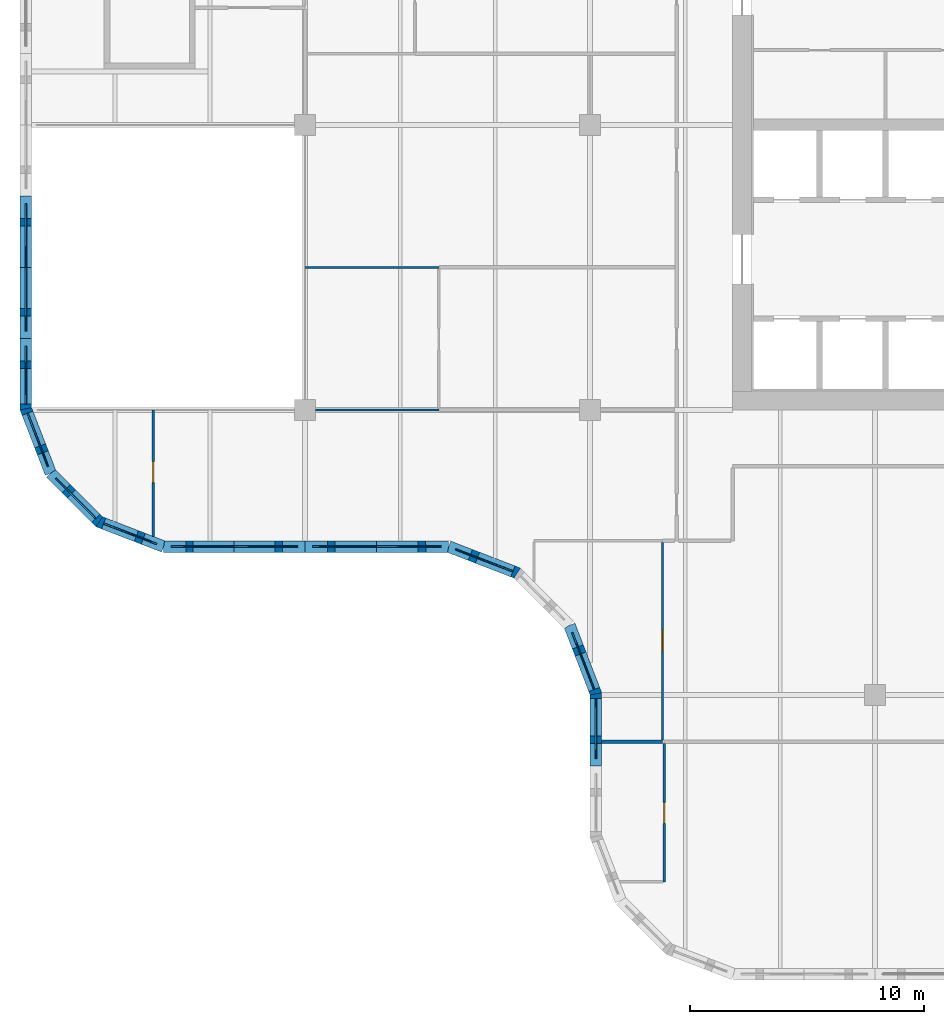
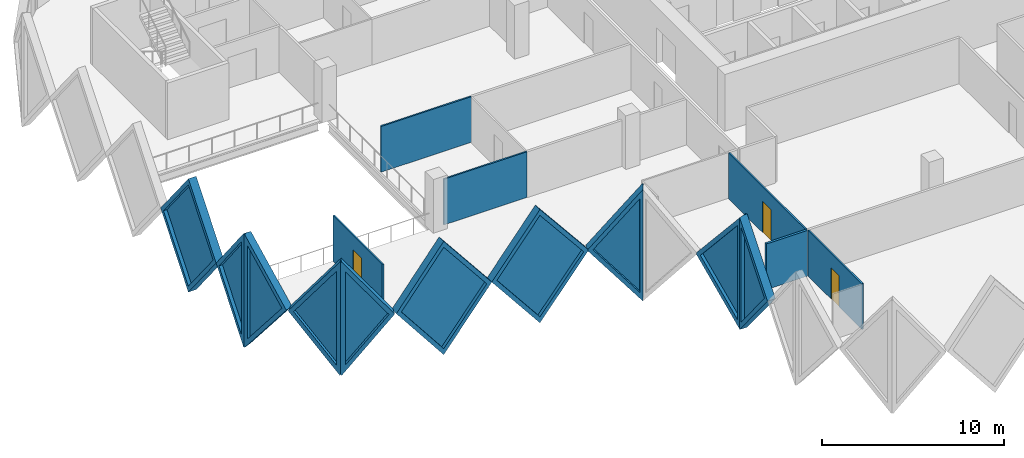
# One storey, part 4 of 19: 16 walls, 10 plates, 3 doors, 13 openings.
"""IFC4 building model written with IfcOpenShell, lengths in metres."""

from ifc_helpers import new_model, si_unit, direction, frame, frame_2d, origin, place, context, subcontext, project, spatial, polyline, rectangle, outline, extrude, faceted_brep, source, transform, mapped, material, layer, layer_set, type_object, element, fill, save


model = new_model("IFC4")

# Units and contexts
model_context = context("Model", 3, precision=1e-05, world=origin(), true_north=direction((0.0, 1.0)))
body_context = subcontext(model_context, "Body", "Model", "MODEL_VIEW")
ifc_project = project(units=[si_unit("LENGTHUNIT", "METRE"), si_unit("AREAUNIT", "SQUARE_METRE"), si_unit("VOLUMEUNIT", "CUBIC_METRE"), si_unit("PLANEANGLEUNIT", "RADIAN"), si_unit("MASSUNIT", "GRAM", prefix="KILO")], contexts=[model_context])

# Site, building, storey
site_placement = place(None, origin())
site = spatial("IfcSite", under=ifc_project, at=site_placement, CompositionType="ELEMENT")
building_placement = place(site_placement, origin())
building = spatial("IfcBuilding", under=site, at=building_placement, Name="Tessera Gate Towers", CompositionType="ELEMENT")
storey_placement = place(building_placement, frame((0.0, 0.0, 80.0)))
storey = spatial("IfcBuildingStorey", under=building, at=storey_placement, Name="L19", CompositionType="ELEMENT", Elevation=80.0)

# Wall, opening, door
ifc_material_1 = material(Name="Glass", Category="glass")
ifc_layer_1 = layer(ifc_material_1, 0.10009765625)
ifc_layer_set_1 = layer_set([ifc_layer_1], Name="GLAZED PARTITION 100")
wall_type_1 = type_object("IfcWallType", Name="GLAZED PARTITION 100", PredefinedType="PARTITIONING", material=ifc_layer_set_1)
wall_1_placement = place(storey_placement, frame((27.574951171875, 4.199951171875, 0.0), z_axis=(0.0, 0.0, 1.0), x_axis=(0.0, 1.0, 0.0)))
wall_1 = element("IfcWall", 1, at=wall_1_placement, inside=storey, type_object=wall_type_1, Name="T1-L19-PW-004", PredefinedType="PARTITIONING", context=body_context, shape_type="SweptSolid", body=[
    extrude(rectangle(XDim=5.924072265625, YDim=0.10009765625, at=frame_2d((2.9619140625, 0.0))), origin(), (0.0, 0.0, 1.0), 3.06689453125),
])
shared_shape_1 = source(origin(), body_context, "Body", "SweptSolid", [
    extrude(rectangle(XDim=0.89990234375, YDim=2.10009765625, at=frame_2d((0.449951171875, 1.050048828125))), frame((0.0, 0.06005859375, 0.0), z_axis=(0.0, -1.0, 0.0), x_axis=(1.0, 0.0, 0.0)), (0.0, 0.0, 1.0), 0.1201171875),
])
opening_1_placement = place(wall_1_placement, frame((2.5, 0.0, 0.0)))
opening_1 = element("IfcOpeningElement", 2, at=opening_1_placement, cuts=wall_1, Name="Opening D690-A07-07", PredefinedType="OPENING", context=body_context, shape_type="MappedRepresentation", body=[
    mapped(shared_shape_1, transform((0.0, 0.0, 0.0), scale=1.0)),
])
ifc_material_2 = material(Name="Glass in aluminium frame", Category="aluminium")
door_type = type_object("IfcDoorType", Name="GLAZED DOOR 900 NOT RATED", OperationType="NOTDEFINED", PredefinedType="DOOR", material=ifc_material_2)
shared_shape_2 = source(origin(), body_context, "Body", "SweptSolid", [
    extrude(rectangle(XDim=0.89990234375, YDim=2.10009765625, at=frame_2d((0.449951171875, 1.050048828125))), frame((0.0, 0.02490234375, 0.0), z_axis=(0.0, -1.0, 0.0), x_axis=(1.0, 0.0, 0.0)), (0.0, 0.0, 1.0), 0.050048828125),
])
door_1_placement = place(opening_1_placement, origin())
door_1 = element("IfcDoor", 3, at=door_1_placement, inside=storey, type_object=door_type, Name="T1-L19-PD-017", OperationType="SINGLE_SWING_LEFT", OverallHeight=2.10009765625, OverallWidth=0.89990234375, PredefinedType="DOOR", context=body_context, shape_type="MappedRepresentation", body=[
    mapped(shared_shape_2, transform((0.0, 0.0, 0.0), scale=1.0)),
])
fill(opening_1, door_1)

wall_2_placement = place(storey_placement, frame((27.5, 10.27587890625, 0.0), z_axis=(0.0, 0.0, 1.0), x_axis=(0.0, 1.0, 0.0)))
wall_2 = element("IfcWall", 4, at=wall_2_placement, inside=storey, type_object=wall_type_1, Name="T1-L19-PW-010", PredefinedType="PARTITIONING", context=body_context, shape_type="SweptSolid", body=[
    extrude(rectangle(XDim=8.4482421875, YDim=0.10009765625, at=frame_2d((4.22412109375, 0.0))), origin(), (0.0, 0.0, 1.0), 3.06689453125),
])
opening_2_placement = place(wall_2_placement, frame((3.800048828125, 0.0, 0.0)))
opening_2 = element("IfcOpeningElement", 5, at=opening_2_placement, cuts=wall_2, Name="Opening D690-A07-08", PredefinedType="OPENING", context=body_context, shape_type="MappedRepresentation", body=[
    mapped(shared_shape_1, transform((0.0, 0.0, 0.0), scale=1.0)),
])
door_2_placement = place(opening_2_placement, origin())
door_2 = element("IfcDoor", 6, at=door_2_placement, inside=storey, type_object=door_type, Name="T1-L19-PD-019", OperationType="SINGLE_SWING_LEFT", OverallHeight=2.10009765625, OverallWidth=0.89990234375, PredefinedType="DOOR", context=body_context, shape_type="MappedRepresentation", body=[
    mapped(shared_shape_2, transform((0.0, 0.0, 0.0), scale=1.0)),
])
fill(opening_2, door_2)

wall_3_placement = place(storey_placement, frame((5.699951171875, 18.990234375, 0.0), z_axis=(0.0, 0.0, 1.0), x_axis=(0.0, 1.0, 0.0)))
wall_3 = element("IfcWall", 7, at=wall_3_placement, inside=storey, type_object=wall_type_1, Name="T1-L19-PW-021", PredefinedType="PARTITIONING", context=body_context, shape_type="SweptSolid", body=[
    extrude(rectangle(XDim=5.40966796875, YDim=0.10009765625, at=frame_2d((2.704833984375, 0.0))), origin(), (0.0, 0.0, 1.0), 3.06689453125),
])
opening_3_placement = place(wall_3_placement, frame((2.300048828125, 0.0, 0.0)))
opening_3 = element("IfcOpeningElement", 8, at=opening_3_placement, cuts=wall_3, Name="Opening D690-A07-02", PredefinedType="OPENING", context=body_context, shape_type="MappedRepresentation", body=[
    mapped(shared_shape_1, transform((0.0, 0.0, 0.0), scale=1.0)),
])
door_3_placement = place(opening_3_placement, origin())
door_3 = element("IfcDoor", 9, at=door_3_placement, inside=storey, type_object=door_type, Name="T1-L19-PD-006", OperationType="SINGLE_SWING_LEFT", OverallHeight=2.10009765625, OverallWidth=0.89990234375, PredefinedType="DOOR", context=body_context, shape_type="MappedRepresentation", body=[
    mapped(shared_shape_2, transform((0.0, 0.0, 0.0), scale=1.0)),
])
fill(opening_3, door_3)

# Walls
wall_4_placement = place(storey_placement, frame((12.65087890625, 24.39990234375, 0.0), z_axis=(0.0, 0.0, 1.0), x_axis=(1.0, 0.0, 0.0)))
element("IfcWall", 10, at=wall_4_placement, inside=storey, type_object=wall_type_1, Name="T1-L19-PW-026", PredefinedType="PARTITIONING", context=body_context, shape_type="SweptSolid", body=[
    extrude(rectangle(XDim=5.273193359375, YDim=0.10009765625, at=frame_2d((2.63671875, 0.0))), origin(), (0.0, 0.0, 1.0), 3.06689453125),
])
wall_5_placement = place(storey_placement, frame((12.199951171875, 30.5, 0.0), z_axis=(0.0, 0.0, 1.0), x_axis=(1.0, 0.0, 0.0)))
element("IfcWall", 11, at=wall_5_placement, inside=storey, type_object=wall_type_1, Name="T1-L19-PW-030", PredefinedType="PARTITIONING", context=body_context, shape_type="SweptSolid", body=[
    extrude(rectangle(XDim=5.72412109375, YDim=0.10009765625, at=frame_2d((2.862060546875, 0.0))), origin(), (0.0, 0.0, 1.0), 3.06689453125),
])
ifc_material_3 = material(Name="Gypsum board on steel studs, mineral wool", Category="steel")
ifc_layer_2 = layer(ifc_material_3, 0.14990234375)
ifc_layer_set_2 = layer_set([ifc_layer_2], Name="TENANCY WALL 150")
wall_type_2 = type_object("IfcWallType", Name="TENANCY WALL 150", PredefinedType="PARTITIONING", material=ifc_layer_set_2)
wall_6_placement = place(storey_placement, frame((24.89990234375, 10.199951171875, 0.0), z_axis=(0.0, 0.0, 1.0), x_axis=(1.0, 0.0, 0.0)))
element("IfcWall", 12, at=wall_6_placement, inside=storey, type_object=wall_type_2, Name="T1-L19-PW-008", PredefinedType="PARTITIONING", context=body_context, shape_type="SweptSolid", body=[
    extrude(rectangle(XDim=2.60009765625, YDim=0.14990234375, at=frame_2d((1.300048828125, 0.0))), origin(), (0.0, 0.0, 1.0), 3.06689453125),
])

# Wall, opening, plate
ifc_material_4 = material(Name="Precast concrete C60/75 white", Category="concrete")
ifc_layer_3 = layer(ifc_material_4, 0.5)
ifc_layer_set_3 = layer_set([ifc_layer_3], Name="TS1 tessera")
wall_type_3 = type_object("IfcWallType", Name="TS1 tessera", PredefinedType="SOLIDWALL", material=ifc_layer_set_3)
shared_shape_3 = source(origin(), body_context, "Body", "Brep", [
    faceted_brep([(3.00341796875, -0.25, 0.0), (6.053466796875, -0.25, 3.800048828125), (3.00341796875, -0.25, 7.60009765625), (0.0, -0.25, 3.800048828125), (0.046630859375, 0.25, 3.85888671875), (3.00341796875, 0.25, 7.60009765625), (6.053466796875, 0.25, 3.800048828125), (3.00341796875, 0.25, 0.0), (0.046630859375, 0.25, 3.7412109375), (0.0, 0.0, 3.800048828125)], [[[0, 1, 2, 3]], [[4, 5, 6, 7, 8]], [[7, 6, 1, 0]], [[6, 5, 2, 1]], [[5, 4, 9, 3, 2]], [[8, 7, 0, 3, 9]], [[8, 9, 4]]]),
])
wall_7_placement = place(storey_placement, frame((6.146484375, 18.550048828125, -3.800048828125), z_axis=(0.0, 0.0, 1.0), x_axis=(1.0, 0.0, 0.0)))
wall_7 = element("IfcWall", 13, at=wall_7_placement, inside=storey, type_object=wall_type_3, Name="Precast tessera T1 TS1-0297", PredefinedType="SOLIDWALL", context=body_context, shape_type="MappedRepresentation", body=[
    mapped(shared_shape_3, transform((0.0, 0.0, 0.0), scale=1.0)),
])
shared_shape_4 = source(origin(), body_context, "Body", "SweptSolid", [
    extrude(outline(polyline([(3.0048828125, 0.4013671875), (5.73291015625, 3.800048828125), (3.0048828125, 7.19873046875), (0.318603515625, 3.800048828125), (3.0048828125, 0.4013671875)])), frame((0.0, 0.260009765625, 0.0), z_axis=(0.0, -1.0, 0.0), x_axis=(1.0, 0.0, 0.0)), (0.0, 0.0, 1.0), 0.52001953125),
])
opening_4_placement = place(wall_7_placement, origin())
opening_4 = element("IfcOpeningElement", 14, at=opening_4_placement, cuts=wall_7, Name="Opening T1-PL2-0601", PredefinedType="OPENING", context=body_context, shape_type="MappedRepresentation", body=[
    mapped(shared_shape_4, transform((0.0, 0.0, 0.0), scale=1.0)),
])
ifc_material_5 = material(Name="Low-e laminated glass", Category="glass")
ifc_layer_4 = layer(ifc_material_5, 0.06005859375)
ifc_layer_set_4 = layer_set([ifc_layer_4], Name="PL2 rhombic pane")
plate_type = type_object("IfcPlateType", Name="PL2 rhombic pane", PredefinedType="SHEET", material=ifc_layer_set_4)
shared_shape_5 = source(origin(), body_context, "Body", "SweptSolid", [
    extrude(outline(polyline([(3.0048828125, 0.4013671875), (5.73291015625, 3.800048828125), (3.0048828125, 7.19873046875), (0.318603515625, 3.800048828125), (3.0048828125, 0.4013671875)])), frame((0.0, 0.030029296875, 0.0), z_axis=(0.0, -1.0, 0.0), x_axis=(1.0, 0.0, 0.0)), (0.0, 0.0, 1.0), 0.06005859375),
])
plate_1_placement = place(opening_4_placement, origin())
plate_1 = element("IfcPlate", 15, at=plate_1_placement, inside=storey, type_object=plate_type, Name="Glass pane T1 PL2-0601", PredefinedType="SHEET", context=body_context, shape_type="MappedRepresentation", body=[
    mapped(shared_shape_5, transform((0.0, 0.0, 0.0), scale=1.0)),
])
fill(opening_4, plate_1)

shared_shape_6 = source(origin(), body_context, "Body", "SweptSolid", [
    extrude(outline(polyline([(3.050048828125, 0.0), (6.10009765625, 3.800048828125), (3.050048828125, 7.60009765625), (0.0, 3.800048828125), (3.050048828125, 0.0)])), frame((0.0, 0.25, 0.0), z_axis=(0.0, -1.0, 0.0), x_axis=(1.0, 0.0, 0.0)), (0.0, 0.0, 1.0), 0.5),
])
wall_8_placement = place(storey_placement, frame((0.25, 33.550048828125, -3.800048828125), z_axis=(0.0, 0.0, 1.0), x_axis=(0.0, -1.0, 0.0)))
wall_8 = element("IfcWall", 16, at=wall_8_placement, inside=storey, type_object=wall_type_3, Name="Precast tessera T1 TS1-0296", PredefinedType="SOLIDWALL", context=body_context, shape_type="MappedRepresentation", body=[
    mapped(shared_shape_6, transform((0.0, 0.0, 0.0), scale=1.0)),
])
shared_shape_7 = source(origin(), body_context, "Body", "SweptSolid", [
    extrude(outline(polyline([(3.050048828125, 0.3994140625), (5.779541015625, 3.800048828125), (3.050048828125, 7.20068359375), (0.320556640625, 3.800048828125), (3.050048828125, 0.3994140625)])), frame((0.0, 0.260009765625, 0.0), z_axis=(0.0, -1.0, 0.0), x_axis=(1.0, 0.0, 0.0)), (0.0, 0.0, 1.0), 0.52001953125),
])
opening_5_placement = place(wall_8_placement, origin())
opening_5 = element("IfcOpeningElement", 17, at=opening_5_placement, cuts=wall_8, Name="Opening T1-PL2-0596", PredefinedType="OPENING", context=body_context, shape_type="MappedRepresentation", body=[
    mapped(shared_shape_7, transform((0.0, 0.0, 0.0), scale=1.0)),
])
shared_shape_8 = source(origin(), body_context, "Body", "SweptSolid", [
    extrude(outline(polyline([(3.050048828125, 0.3994140625), (5.779541015625, 3.800048828125), (3.050048828125, 7.20068359375), (0.320556640625, 3.800048828125), (3.050048828125, 0.3994140625)])), frame((0.0, 0.030029296875, 0.0), z_axis=(0.0, -1.0, 0.0), x_axis=(1.0, 0.0, 0.0)), (0.0, 0.0, 1.0), 0.06005859375),
])
plate_2_placement = place(opening_5_placement, origin())
plate_2 = element("IfcPlate", 18, at=plate_2_placement, inside=storey, type_object=plate_type, Name="Glass pane T1 PL2-0596", PredefinedType="SHEET", context=body_context, shape_type="MappedRepresentation", body=[
    mapped(shared_shape_8, transform((0.0, 0.0, 0.0), scale=1.0)),
])
fill(opening_5, plate_2)

ifc_material_6 = material(Name="Precast concrete C60/75 white", Category="concrete")
ifc_layer_5 = layer(ifc_material_6, 0.5)
ifc_layer_set_5 = layer_set([ifc_layer_5], Name="TS3 corner tessera")
wall_type_4 = type_object("IfcWallType", Name="TS3 corner tessera", PredefinedType="SOLIDWALL", material=ifc_layer_set_5)
shared_shape_9 = source(origin(), body_context, "Body", "Brep", [
    faceted_brep([(3.00341796875, -0.25, 0.0), (3.050048828125, -0.25, 0.06005859375), (3.050048828125, -0.25, 7.5400390625), (3.00341796875, -0.25, 7.60009765625), (0.0, -0.25, 3.800048828125), (0.0, 0.25, 3.800048828125), (2.956787109375, 0.25, 7.541259765625), (2.956787109375, 0.25, 0.058837890625), (3.00341796875, 0.000244140625, 0.0), (3.00341796875, 0.000244140625, 7.60009765625)], [[[0, 1, 2, 3, 4]], [[5, 6, 7]], [[1, 0, 8]], [[9, 3, 2]], [[6, 5, 4, 3, 9]], [[5, 7, 8, 0, 4]], [[1, 8, 7, 6, 9, 2]]]),
])
wall_9_placement = place(storey_placement, frame((0.25, 27.449951171875, -3.800048828125), z_axis=(0.0, 0.0, 1.0), x_axis=(0.0, -1.0, 0.0)))
wall_9 = element("IfcWall", 19, at=wall_9_placement, inside=storey, type_object=wall_type_4, Name="Precast corner tessera T1 TS3-0421", PredefinedType="SOLIDWALL", context=body_context, shape_type="MappedRepresentation", body=[
    mapped(shared_shape_9, transform((0.0, 0.0, 0.0), scale=1.0)),
])
shared_shape_10 = source(origin(), body_context, "Body", "SweptSolid", [
    extrude(outline(polyline([(2.803466796875, 6.94384765625), (0.318603515625, 3.800048828125), (2.803466796875, 0.65625), (2.803466796875, 6.94384765625)])), frame((0.0, 0.260009765625, 0.0), z_axis=(0.0, -1.0, 0.0), x_axis=(1.0, 0.0, 0.0)), (0.0, 0.0, 1.0), 0.52001953125),
])
opening_6_placement = place(wall_9_placement, origin())
opening_6 = element("IfcOpeningElement", 20, at=opening_6_placement, cuts=wall_9, Name="Opening T1-PL2-0597", PredefinedType="OPENING", context=body_context, shape_type="MappedRepresentation", body=[
    mapped(shared_shape_10, transform((0.0, 0.0, 0.0), scale=1.0)),
])
shared_shape_11 = source(origin(), body_context, "Body", "SweptSolid", [
    extrude(outline(polyline([(2.803466796875, 6.94384765625), (0.318603515625, 3.800048828125), (2.803466796875, 0.65625), (2.803466796875, 6.94384765625)])), frame((0.0, 0.030029296875, 0.0), z_axis=(0.0, -1.0, 0.0), x_axis=(1.0, 0.0, 0.0)), (0.0, 0.0, 1.0), 0.06005859375),
])
plate_3_placement = place(opening_6_placement, origin())
plate_3 = element("IfcPlate", 21, at=plate_3_placement, inside=storey, type_object=plate_type, Name="Glass pane T1 PL2-0597", PredefinedType="SHEET", context=body_context, shape_type="MappedRepresentation", body=[
    mapped(shared_shape_11, transform((0.0, 0.0, 0.0), scale=1.0)),
])
fill(opening_6, plate_3)

shared_shape_12 = source(origin(), body_context, "Body", "Brep", [
    faceted_brep([(0.046630859375, -0.25, 0.0), (2.9970703125, -0.25, 3.800048828125), (0.046630859375, -0.25, 7.60009765625), (0.0, -0.25, 7.541259765625), (0.0, -0.25, 0.058837890625), (0.09326171875, 0.25, 7.5400390625), (2.9443359375, 0.25, 3.8681640625), (2.9443359375, 0.25, 3.73193359375), (0.09326171875, 0.25, 0.06005859375), (2.9970703125, 0.00048828125, 3.800048828125), (0.046630859375, 0.0, 0.0), (0.046630859375, 0.0, 7.60009765625)], [[[0, 1, 2, 3, 4]], [[5, 6, 7, 8]], [[8, 7, 9, 1, 0, 10]], [[6, 5, 11, 2, 1, 9]], [[3, 2, 11]], [[10, 0, 4]], [[8, 10, 4, 3, 11, 5]], [[9, 7, 6]]]),
])
wall_10_placement = place(storey_placement, frame((0.233154296875, 24.489990234375, -3.800048828125), z_axis=(0.0, 0.0, 1.0), x_axis=(0.359901446078, -0.932990326376, 0.0)))
wall_10 = element("IfcWall", 22, at=wall_10_placement, inside=storey, type_object=wall_type_4, Name="Precast corner tessera T1 TS3-0422", PredefinedType="SOLIDWALL", context=body_context, shape_type="MappedRepresentation", body=[
    mapped(shared_shape_12, transform((0.0, 0.0, 0.0), scale=1.0)),
])
shared_shape_13 = source(origin(), body_context, "Body", "SweptSolid", [
    extrude(outline(polyline([(0.24658203125, 0.665283203125), (2.6806640625, 3.800048828125), (0.24658203125, 6.934814453125), (0.24658203125, 0.665283203125)])), frame((0.0, 0.260009765625, 0.0), z_axis=(0.0, -1.0, 0.0), x_axis=(1.0, 0.0, 0.0)), (0.0, 0.0, 1.0), 0.52001953125),
])
opening_7_placement = place(wall_10_placement, origin())
opening_7 = element("IfcOpeningElement", 23, at=opening_7_placement, cuts=wall_10, Name="Opening T1-PL2-0598", PredefinedType="OPENING", context=body_context, shape_type="MappedRepresentation", body=[
    mapped(shared_shape_13, transform((0.0, 0.0, 0.0), scale=1.0)),
])
shared_shape_14 = source(origin(), body_context, "Body", "SweptSolid", [
    extrude(outline(polyline([(0.24658203125, 0.665283203125), (2.6806640625, 3.800048828125), (0.24658203125, 6.934814453125), (0.24658203125, 0.665283203125)])), frame((0.0, 0.030029296875, 0.0), z_axis=(0.0, -1.0, 0.0), x_axis=(1.0, 0.0, 0.0)), (0.0, 0.0, 1.0), 0.06005859375),
])
plate_4_placement = place(opening_7_placement, origin())
plate_4 = element("IfcPlate", 24, at=plate_4_placement, inside=storey, type_object=plate_type, Name="Glass pane T1 PL2-0598", PredefinedType="SHEET", context=body_context, shape_type="MappedRepresentation", body=[
    mapped(shared_shape_14, transform((0.0, 0.0, 0.0), scale=1.0)),
])
fill(opening_7, plate_4)

shared_shape_15 = source(origin(), body_context, "Body", "Brep", [
    faceted_brep([(0.052978515625, -0.25, 0.0), (3.00341796875, -0.25, 3.800048828125), (0.052978515625, -0.25, 7.60009765625), (0.0, -0.25, 7.53173828125), (0.0, -0.25, 0.068359375), (0.10595703125, 0.25, 7.531982421875), (2.95703125, 0.25, 3.85986328125), (2.95703125, 0.25, 3.740234375), (0.10595703125, 0.25, 0.068115234375), (3.00341796875, 0.00048828125, 3.800048828125), (0.052978515625, 0.0, 0.0), (0.052978515625, 0.0, 7.60009765625)], [[[0, 1, 2, 3, 4]], [[5, 6, 7, 8]], [[8, 7, 9, 1, 0, 10]], [[6, 5, 11, 2, 1, 9]], [[3, 2, 11]], [[10, 0, 4]], [[8, 10, 4, 3, 11, 5]], [[9, 7, 6]]]),
])
wall_11_placement = place(storey_placement, frame((3.34423828125, 19.630859375, -3.800048828125), z_axis=(0.0, 0.0, 1.0), x_axis=(0.933007896601, -0.359855894603, 0.0)))
wall_11 = element("IfcWall", 25, at=wall_11_placement, inside=storey, type_object=wall_type_4, Name="Precast corner tessera T1 TS3-0424", PredefinedType="SOLIDWALL", context=body_context, shape_type="MappedRepresentation", body=[
    mapped(shared_shape_15, transform((0.0, 0.0, 0.0), scale=1.0)),
])
shared_shape_16 = source(origin(), body_context, "Body", "SweptSolid", [
    extrude(outline(polyline([(0.2529296875, 0.665283203125), (2.68701171875, 3.800048828125), (0.2529296875, 6.934814453125), (0.2529296875, 0.665283203125)])), frame((0.0, 0.260009765625, 0.0), z_axis=(0.0, -1.0, 0.0), x_axis=(1.0, 0.0, 0.0)), (0.0, 0.0, 1.0), 0.52001953125),
])
opening_8_placement = place(wall_11_placement, origin())
opening_8 = element("IfcOpeningElement", 26, at=opening_8_placement, cuts=wall_11, Name="Opening T1-PL2-0600", PredefinedType="OPENING", context=body_context, shape_type="MappedRepresentation", body=[
    mapped(shared_shape_16, transform((0.0, 0.0, 0.0), scale=1.0)),
])
shared_shape_17 = source(origin(), body_context, "Body", "SweptSolid", [
    extrude(outline(polyline([(0.2529296875, 0.665283203125), (2.68701171875, 3.800048828125), (0.2529296875, 6.934814453125), (0.2529296875, 0.665283203125)])), frame((0.0, 0.030029296875, 0.0), z_axis=(0.0, -1.0, 0.0), x_axis=(1.0, 0.0, 0.0)), (0.0, 0.0, 1.0), 0.06005859375),
])
plate_5_placement = place(opening_8_placement, origin())
plate_5 = element("IfcPlate", 27, at=plate_5_placement, inside=storey, type_object=plate_type, Name="Glass pane T1 PL2-0600", PredefinedType="SHEET", context=body_context, shape_type="MappedRepresentation", body=[
    mapped(shared_shape_17, transform((0.0, 0.0, 0.0), scale=1.0)),
])
fill(opening_8, plate_5)

shared_shape_18 = source(origin(), body_context, "Body", "Brep", [
    faceted_brep([(2.944091796875, -0.25, 0.0), (2.9970703125, -0.25, 0.068115234375), (2.9970703125, -0.25, 7.531982421875), (2.944091796875, -0.25, 7.60009765625), (0.0, -0.25, 3.800048828125), (0.052978515625, 0.25, 3.868408203125), (2.89111328125, 0.25, 7.531982421875), (2.89111328125, 0.25, 0.068115234375), (0.052978515625, 0.25, 3.731689453125), (2.944091796875, 0.000244140625, 0.0), (2.944091796875, 0.000244140625, 7.60009765625), (0.0, 0.0, 3.800048828125)], [[[0, 1, 2, 3, 4]], [[5, 6, 7, 8]], [[1, 0, 9]], [[10, 3, 2]], [[6, 5, 11, 4, 3, 10]], [[8, 7, 9, 0, 4, 11]], [[8, 11, 5]], [[1, 9, 7, 6, 10, 2]]]),
])
wall_12_placement = place(storey_placement, frame((1.31201171875, 21.69384765625, -3.800048828125), z_axis=(0.0, 0.0, 1.0), x_axis=(0.707066050402, -0.707147509625, 0.0)))
wall_12 = element("IfcWall", 28, at=wall_12_placement, inside=storey, type_object=wall_type_4, Name="Precast corner tessera T1 TS3-0423", PredefinedType="SOLIDWALL", context=body_context, shape_type="MappedRepresentation", body=[
    mapped(shared_shape_18, transform((0.0, 0.0, 0.0), scale=1.0)),
])
shared_shape_19 = source(origin(), body_context, "Body", "SweptSolid", [
    extrude(outline(polyline([(2.744140625, 6.933837890625), (0.316162109375, 3.800048828125), (2.744140625, 0.666259765625), (2.744140625, 6.933837890625)])), frame((0.0, 0.260009765625, 0.0), z_axis=(0.0, -1.0, 0.0), x_axis=(1.0, 0.0, 0.0)), (0.0, 0.0, 1.0), 0.52001953125),
])
opening_9_placement = place(wall_12_placement, origin())
opening_9 = element("IfcOpeningElement", 29, at=opening_9_placement, cuts=wall_12, Name="Opening T1-PL2-0599", PredefinedType="OPENING", context=body_context, shape_type="MappedRepresentation", body=[
    mapped(shared_shape_19, transform((0.0, 0.0, 0.0), scale=1.0)),
])
shared_shape_20 = source(origin(), body_context, "Body", "SweptSolid", [
    extrude(outline(polyline([(2.744140625, 6.933837890625), (0.316162109375, 3.800048828125), (2.744140625, 0.666259765625), (2.744140625, 6.933837890625)])), frame((0.0, 0.030029296875, 0.0), z_axis=(0.0, -1.0, 0.0), x_axis=(1.0, 0.0, 0.0)), (0.0, 0.0, 1.0), 0.06005859375),
])
plate_6_placement = place(opening_9_placement, origin())
plate_6 = element("IfcPlate", 30, at=plate_6_placement, inside=storey, type_object=plate_type, Name="Glass pane T1 PL2-0599", PredefinedType="SHEET", context=body_context, shape_type="MappedRepresentation", body=[
    mapped(shared_shape_20, transform((0.0, 0.0, 0.0), scale=1.0)),
])
fill(opening_9, plate_6)

shared_shape_21 = source(origin(), body_context, "Body", "Brep", [
    faceted_brep([(3.050048828125, -0.25, 0.0), (6.10009765625, -0.25, 3.742919921875), (6.10009765625, -0.25, 3.857177734375), (3.050048828125, -0.25, 7.60009765625), (0.0, -0.25, 3.800048828125), (0.0, 0.25, 3.800048828125), (3.050048828125, 0.25, 7.60009765625), (6.146484375, 0.25, 3.800048828125), (3.050048828125, 0.25, 0.0), (6.146484375, -0.000244140625, 3.800048828125)], [[[0, 1, 2, 3, 4]], [[5, 6, 7, 8]], [[8, 7, 9, 1, 0]], [[7, 6, 3, 2, 9]], [[6, 5, 4, 3]], [[5, 8, 0, 4]], [[1, 9, 2]]]),
])
wall_13_placement = place(storey_placement, frame((12.199951171875, 18.550048828125, -3.800048828125), z_axis=(0.0, 0.0, 1.0), x_axis=(1.0, 0.0, 0.0)))
wall_13 = element("IfcWall", 31, at=wall_13_placement, inside=storey, type_object=wall_type_3, Name="Precast tessera T1 TS1-0298", PredefinedType="SOLIDWALL", context=body_context, shape_type="MappedRepresentation", body=[
    mapped(shared_shape_21, transform((0.0, 0.0, 0.0), scale=1.0)),
])
shared_shape_22 = source(origin(), body_context, "Body", "SweptSolid", [
    extrude(outline(polyline([(3.051513671875, 0.397705078125), (5.823974609375, 3.800048828125), (3.051513671875, 7.202392578125), (0.320556640625, 3.800048828125), (3.051513671875, 0.397705078125)])), frame((0.0, 0.260009765625, 0.0), z_axis=(0.0, -1.0, 0.0), x_axis=(1.0, 0.0, 0.0)), (0.0, 0.0, 1.0), 0.52001953125),
])
opening_10_placement = place(wall_13_placement, origin())
opening_10 = element("IfcOpeningElement", 32, at=opening_10_placement, cuts=wall_13, Name="Opening T1-PL2-0602", PredefinedType="OPENING", context=body_context, shape_type="MappedRepresentation", body=[
    mapped(shared_shape_22, transform((0.0, 0.0, 0.0), scale=1.0)),
])
shared_shape_23 = source(origin(), body_context, "Body", "SweptSolid", [
    extrude(outline(polyline([(3.051513671875, 0.397705078125), (5.823974609375, 3.800048828125), (3.051513671875, 7.202392578125), (0.320556640625, 3.800048828125), (3.051513671875, 0.397705078125)])), frame((0.0, 0.030029296875, 0.0), z_axis=(0.0, -1.0, 0.0), x_axis=(1.0, 0.0, 0.0)), (0.0, 0.0, 1.0), 0.06005859375),
])
plate_7_placement = place(opening_10_placement, origin())
plate_7 = element("IfcPlate", 33, at=plate_7_placement, inside=storey, type_object=plate_type, Name="Glass pane T1 PL2-0602", PredefinedType="SHEET", context=body_context, shape_type="MappedRepresentation", body=[
    mapped(shared_shape_23, transform((0.0, 0.0, 0.0), scale=1.0)),
])
fill(opening_10, plate_7)

shared_shape_24 = source(origin(), body_context, "Body", "Brep", [
    faceted_brep([(3.096435546875, -0.25, 7.536376953125), (0.046630859375, -0.25, 3.856201171875), (0.046630859375, -0.25, 3.743896484375), (3.096435546875, -0.25, 0.063720703125), (0.0, 0.25, 3.800048828125), (3.1494140625, 0.25, 7.60009765625), (3.202392578125, 0.25, 7.536376953125), (3.202392578125, 0.25, 0.063720703125), (3.1494140625, 0.25, 0.0), (3.1494140625, -0.000244140625, 0.0), (3.1494140625, -0.000244140625, 7.60009765625), (0.0, 0.0, 3.800048828125)], [[[0, 1, 2, 3]], [[4, 5, 6, 7, 8]], [[8, 7, 9]], [[6, 5, 10]], [[5, 4, 11, 1, 0, 10]], [[4, 8, 9, 3, 2, 11]], [[11, 2, 1]], [[3, 9, 7, 6, 10, 0]]]),
])
wall_14_placement = place(storey_placement, frame((18.346435546875, 18.550048828125, -3.800048828125), z_axis=(0.0, 0.0, 1.0), x_axis=(0.932985567668, -0.359913782069, 0.0)))
wall_14 = element("IfcWall", 34, at=wall_14_placement, inside=storey, type_object=wall_type_4, Name="Precast corner tessera T1 TS3-0425", PredefinedType="SOLIDWALL", context=body_context, shape_type="MappedRepresentation", body=[
    mapped(shared_shape_24, transform((0.0, 0.0, 0.0), scale=1.0)),
])
shared_shape_25 = source(origin(), body_context, "Body", "SweptSolid", [
    extrude(outline(polyline([(2.949462890625, 6.967041015625), (0.32470703125, 3.800048828125), (2.949462890625, 0.633056640625), (2.949462890625, 6.967041015625)])), frame((0.0, 0.260009765625, 0.0), z_axis=(0.0, -1.0, 0.0), x_axis=(1.0, 0.0, 0.0)), (0.0, 0.0, 1.0), 0.52001953125),
])
opening_11_placement = place(wall_14_placement, origin())
opening_11 = element("IfcOpeningElement", 35, at=opening_11_placement, cuts=wall_14, Name="Opening T1-PL2-0603", PredefinedType="OPENING", context=body_context, shape_type="MappedRepresentation", body=[
    mapped(shared_shape_25, transform((0.0, 0.0, 0.0), scale=1.0)),
])
shared_shape_26 = source(origin(), body_context, "Body", "SweptSolid", [
    extrude(outline(polyline([(2.949462890625, 6.967041015625), (0.32470703125, 3.800048828125), (2.949462890625, 0.633056640625), (2.949462890625, 6.967041015625)])), frame((0.0, 0.030029296875, 0.0), z_axis=(0.0, -1.0, 0.0), x_axis=(1.0, 0.0, 0.0)), (0.0, 0.0, 1.0), 0.06005859375),
])
plate_8_placement = place(opening_11_placement, origin())
plate_8 = element("IfcPlate", 36, at=plate_8_placement, inside=storey, type_object=plate_type, Name="Glass pane T1 PL2-0603", PredefinedType="SHEET", context=body_context, shape_type="MappedRepresentation", body=[
    mapped(shared_shape_26, transform((0.0, 0.0, 0.0), scale=1.0)),
])
fill(opening_11, plate_8)

shared_shape_27 = source(origin(), body_context, "Body", "Brep", [
    faceted_brep([(3.10302734375, -0.25, 7.5439453125), (0.052978515625, -0.25, 3.864013671875), (0.052978515625, -0.25, 3.736083984375), (3.10302734375, -0.25, 0.05615234375), (0.0, 0.25, 3.800048828125), (3.1494140625, 0.25, 7.60009765625), (3.196044921875, 0.25, 7.54296875), (3.196044921875, 0.25, 0.05712890625), (3.1494140625, 0.25, 0.0), (3.1494140625, -0.000244140625, 0.0), (3.1494140625, -0.000244140625, 7.60009765625), (0.0, 0.0, 3.800048828125)], [[[0, 1, 2, 3]], [[4, 5, 6, 7, 8]], [[8, 7, 9]], [[6, 5, 10]], [[5, 4, 11, 1, 0, 10]], [[4, 8, 9, 3, 2, 11]], [[11, 2, 1]], [[3, 9, 7, 6, 10, 0]]]),
])
wall_15_placement = place(storey_placement, frame((23.5166015625, 15.18505859375, -3.800048828125), z_axis=(0.0, 0.0, 1.0), x_axis=(0.359864468756, -0.933004589553, 0.0)))
wall_15 = element("IfcWall", 37, at=wall_15_placement, inside=storey, type_object=wall_type_4, Name="Precast corner tessera T1 TS3-0427", PredefinedType="SOLIDWALL", context=body_context, shape_type="MappedRepresentation", body=[
    mapped(shared_shape_27, transform((0.0, 0.0, 0.0), scale=1.0)),
])
opening_12_placement = place(wall_15_placement, origin())
opening_12 = element("IfcOpeningElement", 38, at=opening_12_placement, cuts=wall_15, Name="Opening T1-PL2-0605", PredefinedType="OPENING", context=body_context, shape_type="MappedRepresentation", body=[
    mapped(shared_shape_25, transform((0.0, 0.0, 0.0), scale=1.0)),
])
plate_9_placement = place(opening_12_placement, origin())
plate_9 = element("IfcPlate", 39, at=plate_9_placement, inside=storey, type_object=plate_type, Name="Glass pane T1 PL2-0605", PredefinedType="SHEET", context=body_context, shape_type="MappedRepresentation", body=[
    mapped(shared_shape_26, transform((0.0, 0.0, 0.0), scale=1.0)),
])
fill(opening_12, plate_9)

shared_shape_28 = source(origin(), body_context, "Body", "Brep", [
    faceted_brep([(0.09326171875, -0.25, 0.05712890625), (3.14306640625, -0.25, 3.800048828125), (0.09326171875, -0.25, 7.54296875), (0.0, 0.25, 7.5439453125), (0.046630859375, 0.25, 7.60009765625), (3.14306640625, 0.25, 3.800048828125), (0.046630859375, 0.25, 0.0), (0.0, 0.25, 0.05615234375), (0.046630859375, 0.0, 0.0), (0.046630859375, 0.0, 7.60009765625)], [[[0, 1, 2]], [[3, 4, 5, 6, 7]], [[6, 5, 1, 0, 8]], [[5, 4, 9, 2, 1]], [[4, 3, 9]], [[7, 6, 8]], [[7, 8, 0, 2, 9, 3]]]),
])
wall_16_placement = place(storey_placement, frame((24.64990234375, 12.293212890625, -3.800048828125), z_axis=(0.0, 0.0, 1.0), x_axis=(0.0, -1.0, 0.0)))
wall_16 = element("IfcWall", 40, at=wall_16_placement, inside=storey, type_object=wall_type_4, Name="Precast corner tessera T1 TS3-0428", PredefinedType="SOLIDWALL", context=body_context, shape_type="MappedRepresentation", body=[
    mapped(shared_shape_28, transform((0.0, 0.0, 0.0), scale=1.0)),
])
shared_shape_29 = source(origin(), body_context, "Body", "SweptSolid", [
    extrude(outline(polyline([(0.24658203125, 0.641357421875), (2.82080078125, 3.800048828125), (0.24658203125, 6.958740234375), (0.24658203125, 0.641357421875)])), frame((0.0, 0.260009765625, 0.0), z_axis=(0.0, -1.0, 0.0), x_axis=(1.0, 0.0, 0.0)), (0.0, 0.0, 1.0), 0.52001953125),
])
opening_13_placement = place(wall_16_placement, origin())
opening_13 = element("IfcOpeningElement", 41, at=opening_13_placement, cuts=wall_16, Name="Opening T1-PL2-0606", PredefinedType="OPENING", context=body_context, shape_type="MappedRepresentation", body=[
    mapped(shared_shape_29, transform((0.0, 0.0, 0.0), scale=1.0)),
])
shared_shape_30 = source(origin(), body_context, "Body", "SweptSolid", [
    extrude(outline(polyline([(0.24658203125, 0.641357421875), (2.82080078125, 3.800048828125), (0.24658203125, 6.958740234375), (0.24658203125, 0.641357421875)])), frame((0.0, 0.030029296875, 0.0), z_axis=(0.0, -1.0, 0.0), x_axis=(1.0, 0.0, 0.0)), (0.0, 0.0, 1.0), 0.06005859375),
])
plate_10_placement = place(opening_13_placement, origin())
plate_10 = element("IfcPlate", 42, at=plate_10_placement, inside=storey, type_object=plate_type, Name="Glass pane T1 PL2-0606", PredefinedType="SHEET", context=body_context, shape_type="MappedRepresentation", body=[
    mapped(shared_shape_30, transform((0.0, 0.0, 0.0), scale=1.0)),
])
fill(opening_13, plate_10)

save(model, "model.ifc")
